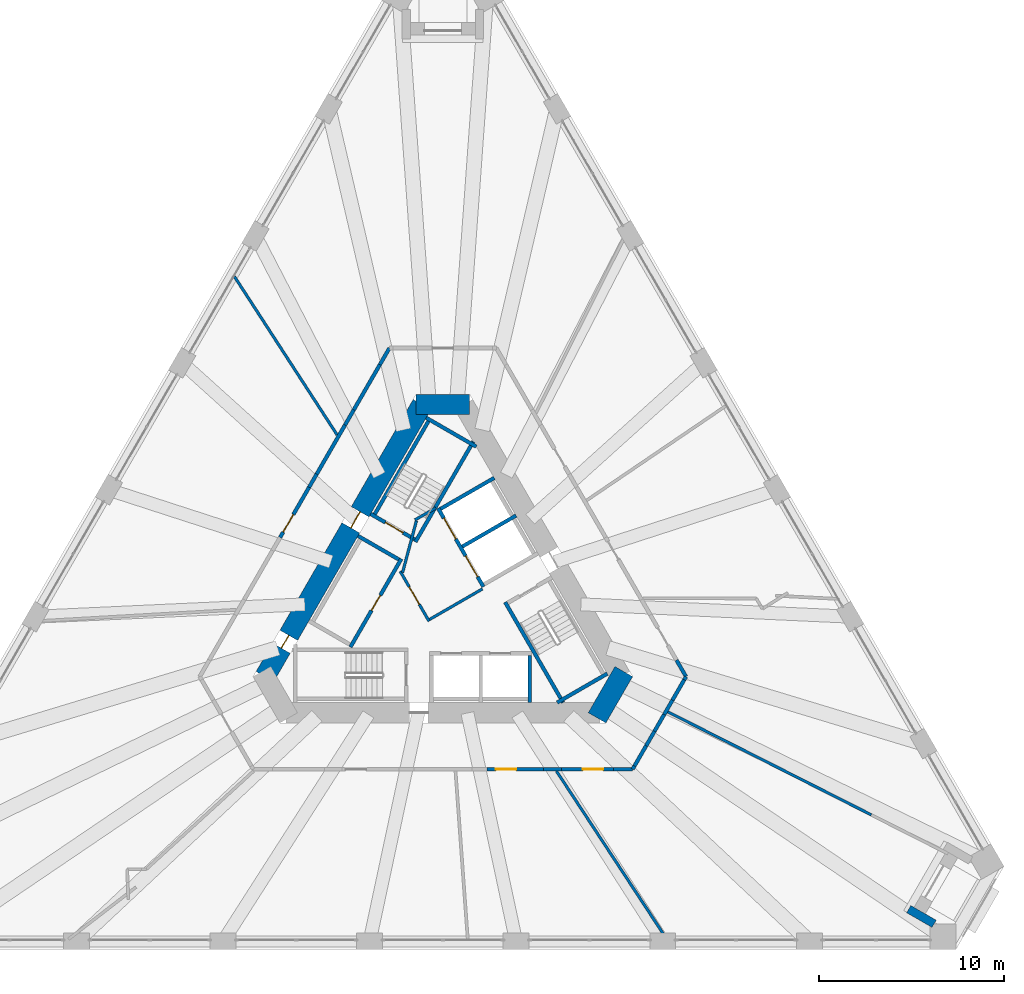
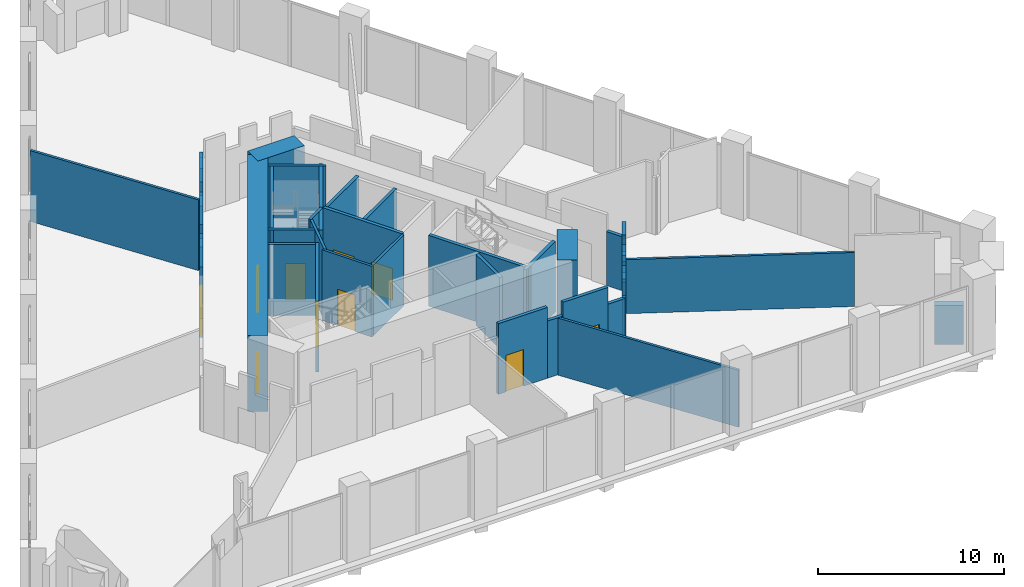
# One storey, part 14 of 20: 41 walls, 10 doors, 10 openings.
"""IFC4 building model written with IfcOpenShell, lengths in metres."""

from ifc_helpers import new_model, si_unit, direction, frame, frame_2d, origin, place, context, subcontext, project, spatial, rectangle, extrude, material, layer, layer_set, type_object, element, fill, save


model = new_model("IFC4")

# Units and contexts
model_context = context("Model", 3, precision=1e-05, world=origin(), true_north=direction((0.0, 1.0)))
body_context = subcontext(model_context, "Body", "Model", "MODEL_VIEW")
ifc_project = project(units=[si_unit("LENGTHUNIT", "METRE"), si_unit("AREAUNIT", "SQUARE_METRE"), si_unit("VOLUMEUNIT", "CUBIC_METRE"), si_unit("PLANEANGLEUNIT", "RADIAN"), si_unit("MASSUNIT", "GRAM", prefix="KILO")], contexts=[model_context])

# Site, building, storey
site_placement = place(None, origin())
site = spatial("IfcSite", under=ifc_project, at=site_placement, CompositionType="ELEMENT")
building_placement = place(site_placement, origin())
building = spatial("IfcBuilding", under=site, at=building_placement, Name="Tramontana Tower", CompositionType="ELEMENT")
storey_placement = place(building_placement, frame((0.0, 0.0, 15.0)))
storey = spatial("IfcBuildingStorey", under=building, at=storey_placement, Name="L02", CompositionType="ELEMENT", Elevation=15.0)

# Wall
ifc_material_1 = material(Name="Concrete 70 MPa", Category="concrete")
ifc_layer_1 = layer(ifc_material_1, 1.10009765625)
ifc_layer_set_1 = layer_set([ifc_layer_1], Name="Core wall 1100 70 MPa")
wall_type_1 = type_object("IfcWallType", Name="Core wall 1100 70 MPa", PredefinedType="SHEAR", material=ifc_layer_set_1)
wall_1_placement = place(storey_placement, frame((1.443359375, 10.449951171875, 0.0), z_axis=(0.0, 0.0, 1.0), x_axis=(-1.0, 0.0, 0.0)))
element("IfcWall", 1, at=wall_1_placement, inside=storey, type_object=wall_type_1, Name="Core wall C0 L02", PredefinedType="SHEAR", context=body_context, shape_type="SweptSolid", body=[
    extrude(rectangle(XDim=2.88671875, YDim=1.10009765625, at=frame_2d((1.443359375, 0.0))), origin(), (0.0, 0.0, 1.0), 5.0),
])

# Wall, openings, doors
wall_2_placement = place(storey_placement, frame((-1.125732421875, 10.449951171875, 0.0), z_axis=(0.0, 0.0, 1.0), x_axis=(-0.500001757713, -0.866024388966, 0.0)))
wall_2 = element("IfcWall", 2, at=wall_2_placement, inside=storey, type_object=wall_type_1, Name="Core wall C1 L02", PredefinedType="SHEAR", context=body_context, shape_type="SweptSolid", body=[
    extrude(rectangle(XDim=16.97412109375, YDim=1.10009765625, at=frame_2d((8.487060546875, 0.0))), origin(), (0.0, 0.0, 1.0), 5.0),
])
opening_1_placement = place(wall_2_placement, frame((6.692138671875, 0.0, 0.0)))
opening_1 = element("IfcOpeningElement", 3, at=opening_1_placement, cuts=wall_2, Name="Opening RG1", PredefinedType="OPENING", context=body_context, shape_type="SweptSolid", body=[
    extrude(rectangle(XDim=1.0, YDim=2.39990234375, at=frame_2d((0.5, 1.199951171875))), frame((0.0, 0.56005859375, 0.0), z_axis=(0.0, -1.0, 0.0), x_axis=(1.0, 0.0, 0.0)), (0.0, 0.0, 1.0), 1.1201171875),
])
opening_2_placement = place(wall_2_placement, frame((14.397216796875, 0.0, 0.0)))
opening_2 = element("IfcOpeningElement", 4, at=opening_2_placement, cuts=wall_2, Name="Opening PD1", PredefinedType="OPENING", context=body_context, shape_type="SweptSolid", body=[
    extrude(rectangle(XDim=0.800048828125, YDim=2.10009765625, at=frame_2d((0.39990234375, 1.050048828125))), frame((0.0, 0.56005859375, 0.0), z_axis=(0.0, -1.0, 0.0), x_axis=(1.0, 0.0, 0.0)), (0.0, 0.0, 1.0), 1.1201171875),
])
ifc_material_2 = material(Name="Painted steel", Category="steel")
door_type_1 = type_object("IfcDoorType", Name="CUPBOARD DOOR 800", OperationType="SINGLE_SWING_LEFT", PredefinedType="DOOR", material=ifc_material_2)
door_1_placement = place(opening_2_placement, origin())
door_1 = element("IfcDoor", 5, at=door_1_placement, inside=storey, type_object=door_type_1, Name="Door PD1", OperationType="SINGLE_SWING_RIGHT", OverallHeight=2.10009765625, OverallWidth=0.800048828125, PredefinedType="DOOR", context=body_context, shape_type="SweptSolid", body=[
    extrude(rectangle(XDim=0.800048828125, YDim=2.10009765625, at=frame_2d((0.39990234375, 1.050048828125))), frame((0.0, 0.02490234375, 0.0), z_axis=(0.0, -1.0, 0.0), x_axis=(1.0, 0.0, 0.0)), (0.0, 0.0, 1.0), 0.050048828125),
])
fill(opening_2, door_1)
ifc_material_3 = material(Name="Painted steel", Category="steel")
door_type_2 = type_object("IfcDoorType", Name="RING DOOR 1000", OperationType="SINGLE_SWING_LEFT", PredefinedType="DOOR", material=ifc_material_3)
door_2_placement = place(opening_1_placement, origin())
door_2 = element("IfcDoor", 6, at=door_2_placement, inside=storey, type_object=door_type_2, Name="Door RG1", OperationType="SINGLE_SWING_LEFT", OverallHeight=2.39990234375, OverallWidth=1.0, PredefinedType="DOOR", context=body_context, shape_type="SweptSolid", body=[
    extrude(rectangle(XDim=1.0, YDim=2.39990234375, at=frame_2d((0.5, 1.199951171875))), frame((0.0, 0.02490234375, 0.0), z_axis=(0.0, -1.0, 0.0), x_axis=(1.0, 0.0, 0.0)), (0.0, 0.0, 1.0), 0.050048828125),
])
fill(opening_1, door_2)

# Walls
wall_3_placement = place(storey_placement, frame((8.328369140625, -6.47509765625, 0.0), z_axis=(0.0, 0.0, 1.0), x_axis=(0.499995765644, 0.866027848477, 0.0)))
element("IfcWall", 7, at=wall_3_placement, inside=storey, type_object=wall_type_1, Name="Core wall C4 L02", PredefinedType="SHEAR", context=body_context, shape_type="SweptSolid", body=[
    extrude(rectangle(XDim=2.88671875, YDim=1.10009765625, at=frame_2d((1.443359375, 0.0))), origin(), (0.0, 0.0, 1.0), 5.0),
])
ifc_material_4 = material(Name="Blockwork", Category="masonry")
ifc_layer_2 = layer(ifc_material_4, 0.199951171875)
ifc_layer_set_2 = layer_set([ifc_layer_2], Name="ENTRY WALL 200")
wall_type_2 = type_object("IfcWallType", Name="ENTRY WALL 200", PredefinedType="SOLIDWALL", material=ifc_layer_set_2)
wall_4_placement = place(storey_placement, frame((12.616943359375, -3.353515625, 0.0), z_axis=(0.0, 0.0, 1.0), x_axis=(0.500171514983, -0.865926356915, 0.0)))
element("IfcWall", 8, at=wall_4_placement, inside=storey, type_object=wall_type_2, Name="Wall ew0-10", PredefinedType="SOLIDWALL", context=body_context, shape_type="SweptSolid", body=[
    extrude(rectangle(XDim=1.035400390625, YDim=0.199951171875, at=frame_2d((0.517578125, 0.0))), origin(), (0.0, 0.0, 1.0), 3.550048828125),
])
wall_5_placement = place(storey_placement, frame((13.134765625, -4.25, 0.0), z_axis=(0.0, 0.0, 1.0), x_axis=(-0.499865263774, -0.866103179807, 0.0)))
element("IfcWall", 9, at=wall_5_placement, inside=storey, type_object=wall_type_2, Name="Wall ew1-0", PredefinedType="SOLIDWALL", context=body_context, shape_type="SweptSolid", body=[
    extrude(rectangle(XDim=0.197265625, YDim=0.199951171875, at=frame_2d((0.0986328125, 0.0))), origin(), (0.0, 0.0, 1.0), 3.550048828125),
])
wall_6_placement = place(storey_placement, frame((13.0361328125, -4.4208984375, 0.0), z_axis=(0.0, 0.0, 1.0), x_axis=(-0.500056058743, -0.865993035835, 0.0)))
element("IfcWall", 10, at=wall_6_placement, inside=storey, type_object=wall_type_2, Name="Wall ew1-1", PredefinedType="SOLIDWALL", context=body_context, shape_type="SweptSolid", body=[
    extrude(rectangle(XDim=1.266845703125, YDim=0.199951171875, at=frame_2d((0.63330078125, 0.0))), origin(), (0.0, 0.0, 1.0), 4.64990234375),
])
wall_7_placement = place(storey_placement, frame((12.402587890625, -5.51806640625, 0.0), z_axis=(0.0, 0.0, 1.0), x_axis=(-0.500097243556, -0.865969252911, 0.0)))
element("IfcWall", 11, at=wall_7_placement, inside=storey, type_object=wall_type_2, Name="Wall ew1-2", PredefinedType="SOLIDWALL", context=body_context, shape_type="SweptSolid", body=[
    extrude(rectangle(XDim=0.902099609375, YDim=0.199951171875, at=frame_2d((0.451171875, 0.0))), origin(), (0.0, 0.0, 1.0), 3.550048828125),
])
wall_8_placement = place(storey_placement, frame((11.951416015625, -6.29931640625, 0.0), z_axis=(0.0, 0.0, 1.0), x_axis=(-0.499898446243, -0.866084027935, 0.0)))
element("IfcWall", 12, at=wall_8_placement, inside=storey, type_object=wall_type_2, Name="Wall ew1-3", PredefinedType="SOLIDWALL", context=body_context, shape_type="SweptSolid", body=[
    extrude(rectangle(XDim=1.040771484375, YDim=0.199951171875, at=frame_2d((0.5205078125, 0.0))), origin(), (0.0, 0.0, 1.0), 4.64990234375),
])
wall_9_placement = place(storey_placement, frame((11.43115234375, -7.20068359375, 0.0), z_axis=(0.0, 0.0, 1.0), x_axis=(-0.500097243556, -0.865969252911, 0.0)))
element("IfcWall", 13, at=wall_9_placement, inside=storey, type_object=wall_type_2, Name="Wall ew1-4", PredefinedType="SOLIDWALL", context=body_context, shape_type="SweptSolid", body=[
    extrude(rectangle(XDim=0.902099609375, YDim=0.199951171875, at=frame_2d((0.451171875, 0.0))), origin(), (0.0, 0.0, 1.0), 3.550048828125),
])
wall_10_placement = place(storey_placement, frame((10.97998046875, -7.98193359375, 0.0), z_axis=(0.0, 0.0, 1.0), x_axis=(-0.499911523785, -0.866076479525, 0.0)))
element("IfcWall", 14, at=wall_10_placement, inside=storey, type_object=wall_type_2, Name="Wall ew1-5", PredefinedType="SOLIDWALL", context=body_context, shape_type="SweptSolid", body=[
    extrude(rectangle(XDim=1.266845703125, YDim=0.199951171875, at=frame_2d((0.63330078125, 0.0))), origin(), (0.0, 0.0, 1.0), 4.64990234375),
])
wall_11_placement = place(storey_placement, frame((10.3466796875, -9.0791015625, 0.0), z_axis=(0.0, 0.0, 1.0), x_axis=(-0.499865263774, -0.866103179807, 0.0)))
element("IfcWall", 15, at=wall_11_placement, inside=storey, type_object=wall_type_2, Name="Wall ew1-6", PredefinedType="SOLIDWALL", context=body_context, shape_type="SweptSolid", body=[
    extrude(rectangle(XDim=0.197265625, YDim=0.199951171875, at=frame_2d((0.0986328125, 0.0))), origin(), (0.0, 0.0, 1.0), 3.550048828125),
])
wall_12_placement = place(storey_placement, frame((10.248046875, -9.25, 0.0), z_axis=(0.0, 0.0, 1.0), x_axis=(-1.0, 0.0, 0.0)))
element("IfcWall", 16, at=wall_12_placement, inside=storey, type_object=wall_type_2, Name="Wall ew2-0", PredefinedType="SOLIDWALL", context=body_context, shape_type="SweptSolid", body=[
    extrude(rectangle(XDim=1.035400390625, YDim=0.199951171875, at=frame_2d((0.517578125, 0.0))), origin(), (0.0, 0.0, 1.0), 3.550048828125),
])

# Wall, opening, door
wall_13_placement = place(storey_placement, frame((9.212646484375, -9.25, 0.0), z_axis=(0.0, 0.0, 1.0), x_axis=(-1.0, 0.0, 0.0)))
wall_13 = element("IfcWall", 17, at=wall_13_placement, inside=storey, type_object=wall_type_2, Name="Wall ew2-1", PredefinedType="SOLIDWALL", context=body_context, shape_type="SweptSolid", body=[
    extrude(rectangle(XDim=2.815185546875, YDim=0.199951171875, at=frame_2d((1.40771484375, 0.0))), origin(), (0.0, 0.0, 1.0), 4.64990234375),
])
opening_3_placement = place(wall_13_placement, frame((0.5517578125, 0.0, 0.0)))
opening_3 = element("IfcOpeningElement", 18, at=opening_3_placement, cuts=wall_13, Name="Opening L02-06", PredefinedType="OPENING", context=body_context, shape_type="SweptSolid", body=[
    extrude(rectangle(XDim=1.10009765625, YDim=2.39990234375, at=frame_2d((0.550048828125, 1.199951171875))), frame((0.0, 0.10986328125, 0.0), z_axis=(0.0, -1.0, 0.0), x_axis=(1.0, 0.0, 0.0)), (0.0, 0.0, 1.0), 0.219970703125),
])
ifc_material_5 = material(Name="Painted timber", Category="wood")
door_type_3 = type_object("IfcDoorType", Name="DOOR ENTRY 1100", OperationType="SINGLE_SWING_LEFT", PredefinedType="DOOR", material=ifc_material_5)
door_3_placement = place(opening_3_placement, origin())
door_3 = element("IfcDoor", 19, at=door_3_placement, inside=storey, type_object=door_type_3, Name="Door L02-06", OperationType="SINGLE_SWING_RIGHT", OverallHeight=2.39990234375, OverallWidth=1.10009765625, PredefinedType="DOOR", context=body_context, shape_type="SweptSolid", body=[
    extrude(rectangle(XDim=1.10009765625, YDim=2.39990234375, at=frame_2d((0.550048828125, 1.199951171875))), frame((0.0, 0.02490234375, 0.0), z_axis=(0.0, -1.0, 0.0), x_axis=(1.0, 0.0, 0.0)), (0.0, 0.0, 1.0), 0.050048828125),
])
fill(opening_3, door_3)

# Wall
wall_14_placement = place(storey_placement, frame((6.3974609375, -9.25, 0.0), z_axis=(0.0, 0.0, 1.0), x_axis=(-1.0, 0.0, 0.0)))
element("IfcWall", 20, at=wall_14_placement, inside=storey, type_object=wall_type_2, Name="Wall ew2-2", PredefinedType="SOLIDWALL", context=body_context, shape_type="SweptSolid", body=[
    extrude(rectangle(XDim=0.949951171875, YDim=0.199951171875, at=frame_2d((0.47509765625, 0.0))), origin(), (0.0, 0.0, 1.0), 3.75),
])

# Wall, opening, door
wall_15_placement = place(storey_placement, frame((5.447509765625, -9.25, 0.0), z_axis=(0.0, 0.0, 1.0), x_axis=(-1.0, 0.0, 0.0)))
wall_15 = element("IfcWall", 21, at=wall_15_placement, inside=storey, type_object=wall_type_2, Name="Wall ew2-3", PredefinedType="SOLIDWALL", context=body_context, shape_type="SweptSolid", body=[
    extrude(rectangle(XDim=3.064453125, YDim=0.199951171875, at=frame_2d((1.5322265625, 0.0))), origin(), (0.0, 0.0, 1.0), 4.64990234375),
])
opening_4_placement = place(wall_15_placement, frame((1.489013671875, 0.0, 0.0)))
opening_4 = element("IfcOpeningElement", 22, at=opening_4_placement, cuts=wall_15, Name="Opening L02-05", PredefinedType="OPENING", context=body_context, shape_type="SweptSolid", body=[
    extrude(rectangle(XDim=1.10009765625, YDim=2.39990234375, at=frame_2d((0.550048828125, 1.199951171875))), frame((0.0, 0.10986328125, 0.0), z_axis=(0.0, -1.0, 0.0), x_axis=(1.0, 0.0, 0.0)), (0.0, 0.0, 1.0), 0.219970703125),
])
door_4_placement = place(opening_4_placement, origin())
door_4 = element("IfcDoor", 23, at=door_4_placement, inside=storey, type_object=door_type_3, Name="Door L02-05", OperationType="SINGLE_SWING_LEFT", OverallHeight=2.39990234375, OverallWidth=1.10009765625, PredefinedType="DOOR", context=body_context, shape_type="SweptSolid", body=[
    extrude(rectangle(XDim=1.10009765625, YDim=2.39990234375, at=frame_2d((0.550048828125, 1.199951171875))), frame((0.0, 0.02490234375, 0.0), z_axis=(0.0, -1.0, 0.0), x_axis=(1.0, 0.0, 0.0)), (0.0, 0.0, 1.0), 0.050048828125),
])
fill(opening_4, door_4)

wall_16_placement = place(storey_placement, frame((-8.793212890625, 3.26953125, 0.0), z_axis=(0.0, 0.0, 1.0), x_axis=(0.499947505232, 0.866055709532, 0.0)))
wall_16 = element("IfcWall", 24, at=wall_16_placement, inside=storey, type_object=wall_type_2, Name="Wall ew4-5", PredefinedType="SOLIDWALL", context=body_context, shape_type="SweptSolid", body=[
    extrude(rectangle(XDim=3.130126953125, YDim=0.199951171875, at=frame_2d((1.56494140625, 0.0))), origin(), (0.0, 0.0, 1.0), 4.64990234375),
])
opening_5_placement = place(wall_16_placement, frame((0.33349609375, 0.0, 0.0)))
opening_5 = element("IfcOpeningElement", 25, at=opening_5_placement, cuts=wall_16, Name="Opening L02-02", PredefinedType="OPENING", context=body_context, shape_type="SweptSolid", body=[
    extrude(rectangle(XDim=1.10009765625, YDim=2.39990234375, at=frame_2d((0.550048828125, 1.199951171875))), frame((0.0, 0.10986328125, 0.0), z_axis=(0.0, -1.0, 0.0), x_axis=(1.0, 0.0, 0.0)), (0.0, 0.0, 1.0), 0.219970703125),
])
door_5_placement = place(opening_5_placement, origin())
door_5 = element("IfcDoor", 26, at=door_5_placement, inside=storey, type_object=door_type_3, Name="Door L02-02", OperationType="SINGLE_SWING_RIGHT", OverallHeight=2.39990234375, OverallWidth=1.10009765625, PredefinedType="DOOR", context=body_context, shape_type="SweptSolid", body=[
    extrude(rectangle(XDim=1.10009765625, YDim=2.39990234375, at=frame_2d((0.550048828125, 1.199951171875))), frame((0.0, 0.02490234375, 0.0), z_axis=(0.0, -1.0, 0.0), x_axis=(1.0, 0.0, 0.0)), (0.0, 0.0, 1.0), 0.050048828125),
])
fill(opening_5, door_5)

# Walls
wall_17_placement = place(storey_placement, frame((-7.228271484375, 5.98046875, 0.0), z_axis=(0.0, 0.0, 1.0), x_axis=(0.500118501653, 0.865956976012, 0.0)))
element("IfcWall", 27, at=wall_17_placement, inside=storey, type_object=wall_type_2, Name="Wall ew4-6", PredefinedType="SOLIDWALL", context=body_context, shape_type="SweptSolid", body=[
    extrude(rectangle(XDim=0.818115234375, YDim=0.199951171875, at=frame_2d((0.4091796875, 0.0))), origin(), (0.0, 0.0, 1.0), 3.75),
])
wall_18_placement = place(storey_placement, frame((-6.819091796875, 6.68896484375, 0.0), z_axis=(0.0, 0.0, 1.0), x_axis=(0.499952348839, 0.866052913447, 0.0)))
element("IfcWall", 28, at=wall_18_placement, inside=storey, type_object=wall_type_2, Name="Wall ew4-7", PredefinedType="SOLIDWALL", context=body_context, shape_type="SweptSolid", body=[
    extrude(rectangle(XDim=3.064208984375, YDim=0.199951171875, at=frame_2d((1.5322265625, 0.0))), origin(), (0.0, 0.0, 1.0), 4.64990234375),
])
wall_19_placement = place(storey_placement, frame((-5.287109375, 9.3427734375, 0.0), z_axis=(0.0, 0.0, 1.0), x_axis=(0.500174821557, 0.865924446982, 0.0)))
element("IfcWall", 29, at=wall_19_placement, inside=storey, type_object=wall_type_2, Name="Wall ew4-8", PredefinedType="SOLIDWALL", context=body_context, shape_type="SweptSolid", body=[
    extrude(rectangle(XDim=0.949951171875, YDim=0.199951171875, at=frame_2d((0.47509765625, 0.0))), origin(), (0.0, 0.0, 1.0), 3.75),
])
wall_20_placement = place(storey_placement, frame((-4.81201171875, 10.165283203125, 0.0), z_axis=(0.0, 0.0, 1.0), x_axis=(0.500000186108, 0.866025296335, 0.0)))
element("IfcWall", 30, at=wall_20_placement, inside=storey, type_object=wall_type_2, Name="Wall ew4-9", PredefinedType="SOLIDWALL", context=body_context, shape_type="SweptSolid", body=[
    extrude(rectangle(XDim=2.8154296875, YDim=0.199951171875, at=frame_2d((1.40771484375, 0.0))), origin(), (0.0, 0.0, 1.0), 4.64990234375),
])
wall_21_placement = place(storey_placement, frame((-3.404296875, 12.603515625, 0.0), z_axis=(0.0, 0.0, 1.0), x_axis=(0.499994660107, 0.866028486751, 0.0)))
element("IfcWall", 31, at=wall_21_placement, inside=storey, type_object=wall_type_2, Name="Wall ew4-10", PredefinedType="SOLIDWALL", context=body_context, shape_type="SweptSolid", body=[
    extrude(rectangle(XDim=1.03515625, YDim=0.199951171875, at=frame_2d((0.517578125, 0.0))), origin(), (0.0, 0.0, 1.0), 3.550048828125),
])
ifc_material_6 = material(Name="Precast concrete 60 MPa", Category="concrete")
ifc_layer_3 = layer(ifc_material_6, 0.449951171875)
ifc_layer_set_3 = layer_set([ifc_layer_3], Name="Precast concrete 60 MPa, 450 mm")
wall_type_3 = type_object("IfcWallType", Name="EW1 Stone-faced precast wall 450", PredefinedType="SOLIDWALL", material=ifc_layer_set_3)
wall_22_placement = place(storey_placement, frame((26.5341796875, -17.60009765625, 0.0), z_axis=(0.0, 0.0, 1.0), x_axis=(-0.86597962928, 0.500079275387, 0.0)))
element("IfcWall", 32, at=wall_22_placement, inside=storey, type_object=wall_type_3, Name="Corner loggia side wall L02 K02r", PredefinedType="SOLIDWALL", context=body_context, shape_type="SweptSolid", body=[
    extrude(rectangle(XDim=1.579345703125, YDim=0.449951171875, at=frame_2d((0.78955078125, 0.0))), origin(), (0.0, 0.0, 1.0), 2.550048828125),
])

# Wall, opening, door
ifc_material_7 = material(Name="Gypsum board partition")
ifc_layer_4 = layer(ifc_material_7, 0.14990234375)
ifc_layer_set_4 = layer_set([ifc_layer_4], Name="PARTITION 150")
wall_type_4 = type_object("IfcWallType", Name="PARTITION 150", PredefinedType="PARTITIONING", material=ifc_layer_set_4)
wall_23_placement = place(storey_placement, frame((-0.744140625, -1.260986328125, 0.0), z_axis=(0.0, 0.0, 1.0), x_axis=(-0.500004234368, 0.866022959057, 0.0)))
wall_23 = element("IfcWall", 33, at=wall_23_placement, inside=storey, type_object=wall_type_4, Name="Wall ff-front", PredefinedType="PARTITIONING", context=body_context, shape_type="SweptSolid", body=[
    extrude(rectangle(XDim=3.125, YDim=0.14990234375, at=frame_2d((1.5625, 0.0))), origin(), (0.0, 0.0, 1.0), 4.64990234375),
])
opening_6_placement = place(wall_23_placement, frame((1.050048828125, 0.0, 0.0)))
opening_6 = element("IfcOpeningElement", 34, at=opening_6_placement, cuts=wall_23, Name="Opening FD1", PredefinedType="OPENING", context=body_context, shape_type="SweptSolid", body=[
    extrude(rectangle(XDim=1.10009765625, YDim=2.39990234375, at=frame_2d((0.550048828125, 1.199951171875))), frame((0.0, 0.0849609375, 0.0), z_axis=(0.0, -1.0, 0.0), x_axis=(1.0, 0.0, 0.0)), (0.0, 0.0, 1.0), 0.169921875),
])
door_6_placement = place(opening_6_placement, origin())
door_6 = element("IfcDoor", 35, at=door_6_placement, inside=storey, type_object=door_type_3, Name="Door FD1", OperationType="SINGLE_SWING_RIGHT", OverallHeight=2.39990234375, OverallWidth=1.10009765625, PredefinedType="DOOR", context=body_context, shape_type="SweptSolid", body=[
    extrude(rectangle(XDim=1.10009765625, YDim=2.39990234375, at=frame_2d((0.550048828125, 1.199951171875))), frame((0.0, 0.02490234375, 0.0), z_axis=(0.0, -1.0, 0.0), x_axis=(1.0, 0.0, 0.0)), (0.0, 0.0, 1.0), 0.050048828125),
])
fill(opening_6, door_6)

# Walls
wall_24_placement = place(storey_placement, frame((-0.716796875, -1.15869140625, 0.0), z_axis=(0.0, 0.0, 1.0), x_axis=(0.866008176907, 0.50002983664, 0.0)))
element("IfcWall", 36, at=wall_24_placement, inside=storey, type_object=wall_type_4, Name="Wall ff-end0", PredefinedType="PARTITIONING", context=body_context, shape_type="SweptSolid", body=[
    extrude(rectangle(XDim=3.300048828125, YDim=0.14990234375, at=frame_2d((1.64990234375, 0.0))), origin(), (0.0, 0.0, 1.0), 4.64990234375),
])
wall_25_placement = place(storey_placement, frame((-2.177978515625, 1.372314453125, 0.0), z_axis=(0.0, 0.0, 1.0), x_axis=(0.258808958833, 0.96592852884, 0.0)))
element("IfcWall", 37, at=wall_25_placement, inside=storey, type_object=wall_type_4, Name="Wall ff-diag", PredefinedType="PARTITIONING", context=body_context, shape_type="SweptSolid", body=[
    extrude(rectangle(XDim=2.902587890625, YDim=0.14990234375, at=frame_2d((1.451171875, 0.0))), origin(), (0.0, 0.0, 1.0), 4.64990234375),
])
wall_26_placement = place(storey_placement, frame((-1.509765625, 4.21484375, 0.0), z_axis=(0.0, 0.0, 1.0), x_axis=(0.866085525409, 0.49989585183, 0.0)))
element("IfcWall", 38, at=wall_26_placement, inside=storey, type_object=wall_type_4, Name="Wall ff-end1", PredefinedType="PARTITIONING", context=body_context, shape_type="SweptSolid", body=[
    extrude(rectangle(XDim=1.300048828125, YDim=0.14990234375, at=frame_2d((0.64990234375, 0.0))), origin(), (0.0, 0.0, 1.0), 4.64990234375),
])
wall_27_placement = place(storey_placement, frame((-5.71142578125, 8.8076171875, 0.0), z_axis=(0.0, 0.0, 1.0), x_axis=(-0.544077203012, 0.839035158478, 0.0)))
element("IfcWall", 39, at=wall_27_placement, inside=storey, type_object=wall_type_4, Name="Wall fw-pw05", PredefinedType="PARTITIONING", context=body_context, shape_type="SweptSolid", body=[
    extrude(rectangle(XDim=10.194091796875, YDim=0.14990234375, at=frame_2d((5.09716796875, 0.0))), origin(), (0.0, 0.0, 1.0), 4.64990234375),
])
wall_28_placement = place(storey_placement, frame((6.13525390625, -9.35009765625, 0.0), z_axis=(0.0, 0.0, 1.0), x_axis=(0.548631398355, -0.836064344856, 0.0)))
element("IfcWall", 40, at=wall_28_placement, inside=storey, type_object=wall_type_4, Name="Wall fw-pw07-0", PredefinedType="PARTITIONING", context=body_context, shape_type="SweptSolid", body=[
    extrude(rectangle(XDim=10.860107421875, YDim=0.14990234375, at=frame_2d((5.43017578125, 0.0))), origin(), (0.0, 0.0, 1.0), 3.75),
])
wall_29_placement = place(storey_placement, frame((12.152099609375, -6.15185546875, 0.0), z_axis=(0.0, 0.0, 1.0), x_axis=(0.892189195248, -0.451661864542, 0.0)))
element("IfcWall", 41, at=wall_29_placement, inside=storey, type_object=wall_type_4, Name="Wall fw-pw11-0", PredefinedType="PARTITIONING", context=body_context, shape_type="SweptSolid", body=[
    extrude(rectangle(XDim=12.32275390625, YDim=0.14990234375, at=frame_2d((6.161376953125, 0.0))), origin(), (0.0, 0.0, 1.0), 3.550048828125),
])
ifc_material_8 = material(Name="Concrete 70 MPa", Category="concrete")
ifc_layer_5 = layer(ifc_material_8, 0.199951171875)
ifc_layer_set_5 = layer_set([ifc_layer_5], Name="Concrete 70 MPa, 200 mm")
wall_type_5 = type_object("IfcWallType", Name="RC SHAFT BACK WALL 200", PredefinedType="SOLIDWALL", material=ifc_layer_set_5)
wall_30_placement = place(storey_placement, frame((-0.679931640625, 9.722412109375, 0.0), z_axis=(0.0, 0.0, 1.0), x_axis=(-0.49998037582, -0.866036733513, 0.0)))
element("IfcWall", 42, at=wall_30_placement, inside=storey, type_object=wall_type_5, Name="Wall st1-back", PredefinedType="SOLIDWALL", context=body_context, shape_type="SweptSolid", body=[
    extrude(rectangle(XDim=6.199951171875, YDim=0.199951171875, at=frame_2d((3.10009765625, 0.0))), origin(), (0.0, 0.0, 1.0), 4.64990234375),
])
ifc_material_9 = material(Name="Concrete 70 MPa", Category="concrete")
ifc_layer_6 = layer(ifc_material_9, 0.199951171875)
ifc_layer_set_6 = layer_set([ifc_layer_6], Name="Concrete 70 MPa, 200 mm")
wall_type_6 = type_object("IfcWallType", Name="RC STAIR AND SHAFT WALL 200", PredefinedType="SOLIDWALL", material=ifc_layer_set_6)
wall_31_placement = place(storey_placement, frame((1.6455078125, 8.449951171875, 0.0), z_axis=(0.0, 0.0, 1.0), x_axis=(-0.500006002103, -0.866021938441, 0.0)))
element("IfcWall", 43, at=wall_31_placement, inside=storey, type_object=wall_type_6, Name="Wall st1-front", PredefinedType="SOLIDWALL", context=body_context, shape_type="SweptSolid", body=[
    extrude(rectangle(XDim=6.2607421875, YDim=0.199951171875, at=frame_2d((3.13037109375, 0.0))), origin(), (0.0, 0.0, 1.0), 4.64990234375),
])
wall_32_placement = place(storey_placement, frame((1.80615234375, 8.171875, 0.0), z_axis=(0.0, 0.0, 1.0), x_axis=(-0.866054327916, 0.499949898588, 0.0)))
element("IfcWall", 44, at=wall_32_placement, inside=storey, type_object=wall_type_6, Name="Wall st1-far", PredefinedType="SOLIDWALL", context=body_context, shape_type="SweptSolid", body=[
    extrude(rectangle(XDim=3.128173828125, YDim=0.199951171875, at=frame_2d((1.56396484375, 0.0))), origin(), (0.0, 0.0, 1.0), 4.64990234375),
])

# Wall, opening, door
wall_33_placement = place(storey_placement, frame((-1.521484375, 3.164794921875, 0.0), z_axis=(0.0, 0.0, 1.0), x_axis=(-0.866027397988, 0.499996545922, 0.0)))
wall_33 = element("IfcWall", 45, at=wall_33_placement, inside=storey, type_object=wall_type_6, Name="Wall st1-near", PredefinedType="SOLIDWALL", context=body_context, shape_type="SweptSolid", body=[
    extrude(rectangle(XDim=2.75, YDim=0.199951171875, at=frame_2d((1.375, 0.0))), origin(), (0.0, 0.0, 1.0), 4.64990234375),
])
opening_7_placement = place(wall_33_placement, frame((0.72509765625, 0.0, 0.0)))
opening_7 = element("IfcOpeningElement", 46, at=opening_7_placement, cuts=wall_33, Name="Opening SD1", PredefinedType="OPENING", context=body_context, shape_type="SweptSolid", body=[
    extrude(rectangle(XDim=1.10009765625, YDim=2.39990234375, at=frame_2d((0.550048828125, 1.199951171875))), frame((0.0, 0.10986328125, 0.0), z_axis=(0.0, -1.0, 0.0), x_axis=(1.0, 0.0, 0.0)), (0.0, 0.0, 1.0), 0.219970703125),
])
ifc_material_10 = material(Name="Painted steel", Category="steel")
door_type_4 = type_object("IfcDoorType", Name="STAIR DOOR 1100", OperationType="SINGLE_SWING_LEFT", PredefinedType="DOOR", material=ifc_material_10)
door_7_placement = place(opening_7_placement, origin())
door_7 = element("IfcDoor", 47, at=door_7_placement, inside=storey, type_object=door_type_4, Name="Door SD1", OperationType="SINGLE_SWING_RIGHT", OverallHeight=2.39990234375, OverallWidth=1.10009765625, PredefinedType="DOOR", context=body_context, shape_type="SweptSolid", body=[
    extrude(rectangle(XDim=1.10009765625, YDim=2.39990234375, at=frame_2d((0.550048828125, 1.199951171875))), frame((0.0, 0.02490234375, 0.0), z_axis=(0.0, -1.0, 0.0), x_axis=(1.0, 0.0, 0.0)), (0.0, 0.0, 1.0), 0.050048828125),
])
fill(opening_7, door_7)

# Walls
wall_34_placement = place(storey_placement, frame((6.4951171875, -5.64990234375, 0.0), z_axis=(0.0, 0.0, 1.0), x_axis=(-0.499976754523, 0.866038824151, 0.0)))
element("IfcWall", 48, at=wall_34_placement, inside=storey, type_object=wall_type_6, Name="Wall st3-front", PredefinedType="SOLIDWALL", context=body_context, shape_type="SweptSolid", body=[
    extrude(rectangle(XDim=6.260498046875, YDim=0.199951171875, at=frame_2d((3.13037109375, 0.0))), origin(), (0.0, 0.0, 1.0), 4.64990234375),
])
wall_35_placement = place(storey_placement, frame((6.173828125, -5.64990234375, 0.0), z_axis=(0.0, 0.0, 1.0), x_axis=(0.866054327916, 0.499949898588, 0.0)))
element("IfcWall", 49, at=wall_35_placement, inside=storey, type_object=wall_type_6, Name="Wall st3-far", PredefinedType="SOLIDWALL", context=body_context, shape_type="SweptSolid", body=[
    extrude(rectangle(XDim=3.128173828125, YDim=0.199951171875, at=frame_2d((1.56396484375, 0.0))), origin(), (0.0, 0.0, 1.0), 4.64990234375),
])

# Wall, opening, door
wall_36_placement = place(storey_placement, frame((-4.9931640625, -2.648193359375, 0.0), z_axis=(0.0, 0.0, 1.0), x_axis=(0.499996545922, 0.866027397988, 0.0)))
wall_36 = element("IfcWall", 50, at=wall_36_placement, inside=storey, type_object=wall_type_6, Name="Wall row0-front", PredefinedType="SOLIDWALL", context=body_context, shape_type="SweptSolid", body=[
    extrude(rectangle(XDim=5.5, YDim=0.199951171875, at=frame_2d((2.75, 0.0))), origin(), (0.0, 0.0, 1.0), 4.64990234375),
])
opening_8_placement = place(wall_36_placement, frame((2.27490234375, 0.0, 0.0)))
opening_8 = element("IfcOpeningElement", 51, at=opening_8_placement, cuts=wall_36, Name="Opening RD-0", PredefinedType="OPENING", context=body_context, shape_type="SweptSolid", body=[
    extrude(rectangle(XDim=0.949951171875, YDim=2.39990234375, at=frame_2d((0.47509765625, 1.199951171875))), frame((0.0, 0.10986328125, 0.0), z_axis=(0.0, -1.0, 0.0), x_axis=(1.0, 0.0, 0.0)), (0.0, 0.0, 1.0), 0.219970703125),
])
ifc_material_11 = material(Name="Painted timber", Category="wood")
door_type_5 = type_object("IfcDoorType", Name="DOOR ROOM 950", OperationType="SINGLE_SWING_LEFT", PredefinedType="DOOR", material=ifc_material_11)
door_8_placement = place(opening_8_placement, origin())
door_8 = element("IfcDoor", 52, at=door_8_placement, inside=storey, type_object=door_type_5, Name="Door RD-0", OperationType="SINGLE_SWING_LEFT", OverallHeight=2.39990234375, OverallWidth=0.949951171875, PredefinedType="DOOR", context=body_context, shape_type="SweptSolid", body=[
    extrude(rectangle(XDim=0.949951171875, YDim=2.39990234375, at=frame_2d((0.47509765625, 1.199951171875))), frame((0.0, 0.02490234375, 0.0), z_axis=(0.0, -1.0, 0.0), x_axis=(1.0, 0.0, 0.0)), (0.0, 0.0, 1.0), 0.050048828125),
])
fill(opening_8, door_8)

# Walls
wall_37_placement = place(storey_placement, frame((-2.379638671875, 2.078369140625, 0.0), z_axis=(0.0, 0.0, 1.0), x_axis=(-0.866054858364, 0.499948979701, 0.0)))
element("IfcWall", 53, at=wall_37_placement, inside=storey, type_object=wall_type_6, Name="Wall row0-side0", PredefinedType="SOLIDWALL", context=body_context, shape_type="SweptSolid", body=[
    extrude(rectangle(XDim=2.550048828125, YDim=0.199951171875, at=frame_2d((1.27490234375, 0.0))), origin(), (0.0, 0.0, 1.0), 4.64990234375),
])
wall_38_placement = place(storey_placement, frame((4.68994140625, -3.10009765625, 0.0), z_axis=(0.0, 0.0, 1.0), x_axis=(0.0, -1.0, 0.0)))
element("IfcWall", 54, at=wall_38_placement, inside=storey, type_object=wall_type_6, Name="Wall row1-side2", PredefinedType="SOLIDWALL", context=body_context, shape_type="SweptSolid", body=[
    extrude(rectangle(XDim=2.5498046875, YDim=0.199951171875, at=frame_2d((1.27490234375, 0.0))), origin(), (0.0, 0.0, 1.0), 4.64990234375),
])

# Wall, openings, doors
wall_39_placement = place(storey_placement, frame((2.190185546875, 0.6064453125, 0.0), z_axis=(0.0, 0.0, 1.0), x_axis=(-0.500002801628, 0.866023786258, 0.0)))
wall_39 = element("IfcWall", 55, at=wall_39_placement, inside=storey, type_object=wall_type_6, Name="Wall row2-front", PredefinedType="SOLIDWALL", context=body_context, shape_type="SweptSolid", body=[
    extrude(rectangle(XDim=4.89990234375, YDim=0.199951171875, at=frame_2d((2.449951171875, 0.0))), origin(), (0.0, 0.0, 1.0), 4.64990234375),
])
opening_9_placement = place(wall_39_placement, frame((0.625, 0.0, 0.0)))
opening_9 = element("IfcOpeningElement", 56, at=opening_9_placement, cuts=wall_39, Name="Opening LD-F1", PredefinedType="OPENING", context=body_context, shape_type="SweptSolid", body=[
    extrude(rectangle(XDim=1.300048828125, YDim=2.10009765625, at=frame_2d((0.64990234375, 1.050048828125))), frame((0.0, 0.10986328125, 0.0), z_axis=(0.0, -1.0, 0.0), x_axis=(1.0, 0.0, 0.0)), (0.0, 0.0, 1.0), 0.219970703125),
])
opening_10_placement = place(wall_39_placement, frame((2.97509765625, 0.0, 0.0)))
opening_10 = element("IfcOpeningElement", 57, at=opening_10_placement, cuts=wall_39, Name="Opening LD-F2", PredefinedType="OPENING", context=body_context, shape_type="SweptSolid", body=[
    extrude(rectangle(XDim=1.300048828125, YDim=2.10009765625, at=frame_2d((0.64990234375, 1.050048828125))), frame((0.0, 0.10986328125, 0.0), z_axis=(0.0, -1.0, 0.0), x_axis=(1.0, 0.0, 0.0)), (0.0, 0.0, 1.0), 0.219970703125),
])
ifc_material_12 = material(Name="Brushed steel", Category="steel")
door_type_6 = type_object("IfcDoorType", Name="LANDING DOOR 1300", OperationType="SINGLE_SWING_LEFT", PredefinedType="DOOR", material=ifc_material_12)
door_9_placement = place(opening_9_placement, origin())
door_9 = element("IfcDoor", 58, at=door_9_placement, inside=storey, type_object=door_type_6, Name="Door LD-F1", OperationType="SLIDING_TO_RIGHT", OverallHeight=2.10009765625, OverallWidth=1.300048828125, PredefinedType="DOOR", context=body_context, shape_type="SweptSolid", body=[
    extrude(rectangle(XDim=1.300048828125, YDim=2.10009765625, at=frame_2d((0.64990234375, 1.050048828125))), frame((0.0, 0.02490234375, 0.0), z_axis=(0.0, -1.0, 0.0), x_axis=(1.0, 0.0, 0.0)), (0.0, 0.0, 1.0), 0.050048828125),
])
fill(opening_9, door_9)
door_10_placement = place(opening_10_placement, origin())
door_10 = element("IfcDoor", 59, at=door_10_placement, inside=storey, type_object=door_type_6, Name="Door LD-F2", OperationType="SLIDING_TO_LEFT", OverallHeight=2.10009765625, OverallWidth=1.300048828125, PredefinedType="DOOR", context=body_context, shape_type="SweptSolid", body=[
    extrude(rectangle(XDim=1.300048828125, YDim=2.10009765625, at=frame_2d((0.64990234375, 1.050048828125))), frame((0.0, 0.02490234375, 0.0), z_axis=(0.0, -1.0, 0.0), x_axis=(1.0, 0.0, 0.0)), (0.0, 0.0, 1.0), 0.050048828125),
])
fill(opening_10, door_10)

# Walls
wall_40_placement = place(storey_placement, frame((1.0517578125, 2.778076171875, 0.0), z_axis=(0.0, 0.0, 1.0), x_axis=(0.866032680314, 0.499987396469, 0.0)))
element("IfcWall", 60, at=wall_40_placement, inside=storey, type_object=wall_type_6, Name="Wall row2-side1", PredefinedType="SOLIDWALL", context=body_context, shape_type="SweptSolid", body=[
    extrude(rectangle(XDim=3.35009765625, YDim=0.199951171875, at=frame_2d((1.675048828125, 0.0))), origin(), (0.0, 0.0, 1.0), 4.64990234375),
])
wall_41_placement = place(storey_placement, frame((-0.123046875, 4.813232421875, 0.0), z_axis=(0.0, 0.0, 1.0), x_axis=(0.866014461049, 0.500018952895, 0.0)))
element("IfcWall", 61, at=wall_41_placement, inside=storey, type_object=wall_type_6, Name="Wall row2-side2", PredefinedType="SOLIDWALL", context=body_context, shape_type="SweptSolid", body=[
    extrude(rectangle(XDim=3.349853515625, YDim=0.199951171875, at=frame_2d((1.6748046875, 0.0))), origin(), (0.0, 0.0, 1.0), 4.64990234375),
])

save(model, "model.ifc")
